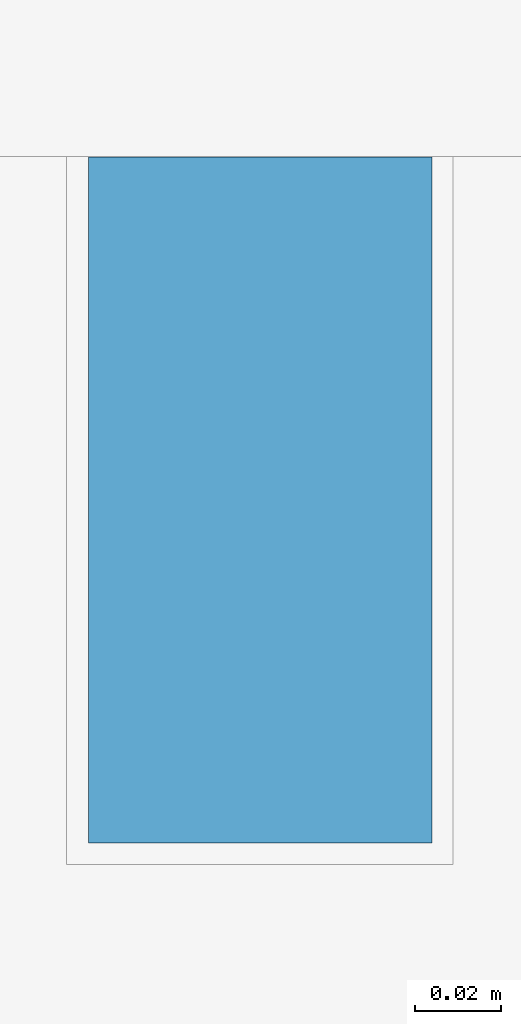
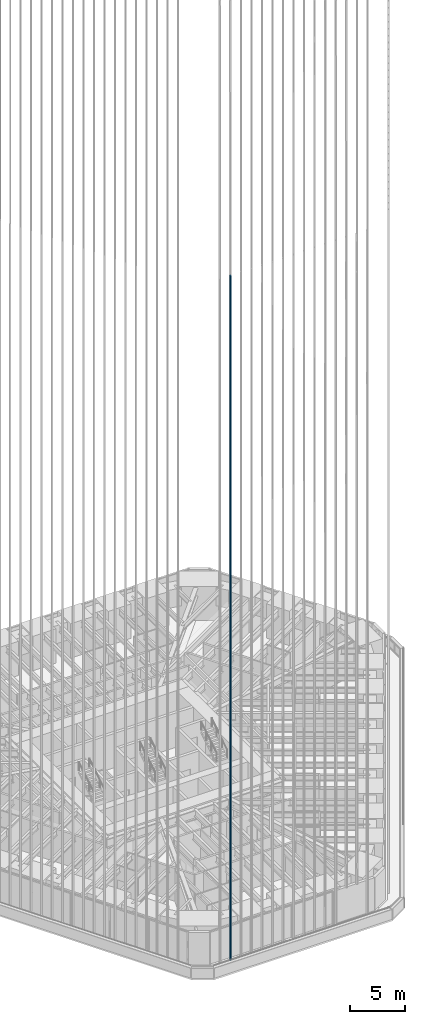
# One storey, part 19 of 238: 1 member, 1 element without a shape of its own.
"""IFC4 building model written with IfcOpenShell, lengths in metres."""

from ifc_helpers import new_model, si_unit, direction, frame, origin, origin_2d, place, context, subcontext, project, spatial, rectangle, extrude, material, material_profile, profile_set, type_object, element, aggregate, save


model = new_model("IFC4")

# Units and contexts
model_context = context("Model", 3, precision=1e-05, world=origin(), true_north=direction((0.0, 1.0)))
body_context = subcontext(model_context, "Body", "Model", "MODEL_VIEW")
ifc_project = project(units=[si_unit("LENGTHUNIT", "METRE"), si_unit("AREAUNIT", "SQUARE_METRE"), si_unit("VOLUMEUNIT", "CUBIC_METRE"), si_unit("PLANEANGLEUNIT", "RADIAN"), si_unit("MASSUNIT", "GRAM", prefix="KILO")], contexts=[model_context])

# Site, building, storey
site_placement = place(None, origin())
site = spatial("IfcSite", under=ifc_project, at=site_placement, CompositionType="ELEMENT")
building_placement = place(site_placement, origin())
building = spatial("IfcBuilding", under=site, at=building_placement, Name="Sandreach Pilgrim Tower", CompositionType="ELEMENT")
storey_placement = place(building_placement, frame((0.0, 0.0, 96.800048828125)))
storey = spatial("IfcBuildingStorey", under=building, at=storey_placement, Name="L23", CompositionType="ELEMENT", Elevation=96.800048828125)

# Curtain wall, member
ifc_material_1 = material(Name="Aluminium framed curtain wall", Category="aluminium")
curtain_wall_type = type_object("IfcCurtainWallType", Name="Hotel tower curtain wall", PredefinedType="NOTDEFINED", material=ifc_material_1)
curtain_wall_placement = place(storey_placement, origin())
curtain_wall = element("IfcCurtainWall", 1, at=curtain_wall_placement, inside=storey, type_object=curtain_wall_type, Name="CW-2 L23 SA", PredefinedType="NOTDEFINED")
ifc_material_2 = material(Name="Extruded terracotta on aluminium core", Category="masonry")
ifc_material_profile = material_profile(ifc_material_2, rectangle(XDim=0.080078125, YDim=0.159912109375, at=origin_2d()), Name="TBS 80X160")
ifc_profile_set = profile_set([ifc_material_profile], Name="Extruded terracotta on aluminium core")
member_type = type_object("IfcMemberType", Name="Terracotta baguette south", PredefinedType="USERDEFINED", material=ifc_profile_set)
member_placement = place(storey_placement, frame((-6.623046875, -28.572265625, 0.0), z_axis=(0.0, 0.0, 1.0), x_axis=(-1.0, 0.0, 0.0)))
member = element("IfcMember", 2, at=member_placement, type_object=member_type, Name="Baguette Z2 S14", ObjectType="BAGUETTE", PredefinedType="USERDEFINED", context=body_context, shape_type="SweptSolid", body=[
    extrude(rectangle(XDim=0.080078125, YDim=0.159912109375, at=origin_2d()), origin(), (0.0, 0.0, 1.0), 75.83984375),
])
aggregate(curtain_wall, [member])

save(model, "model.ifc")
